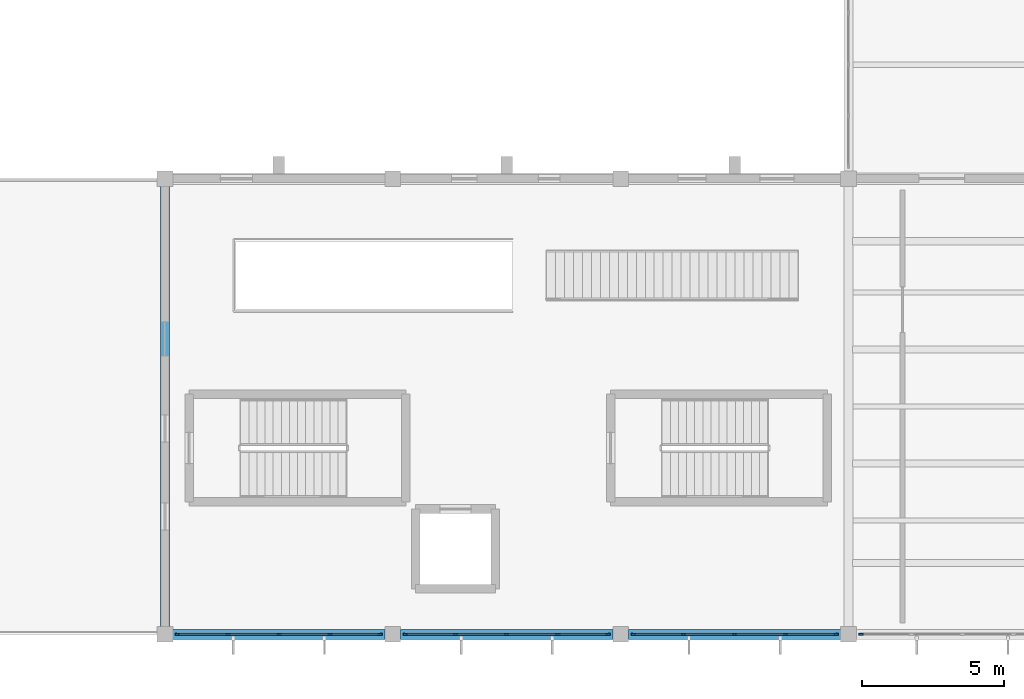
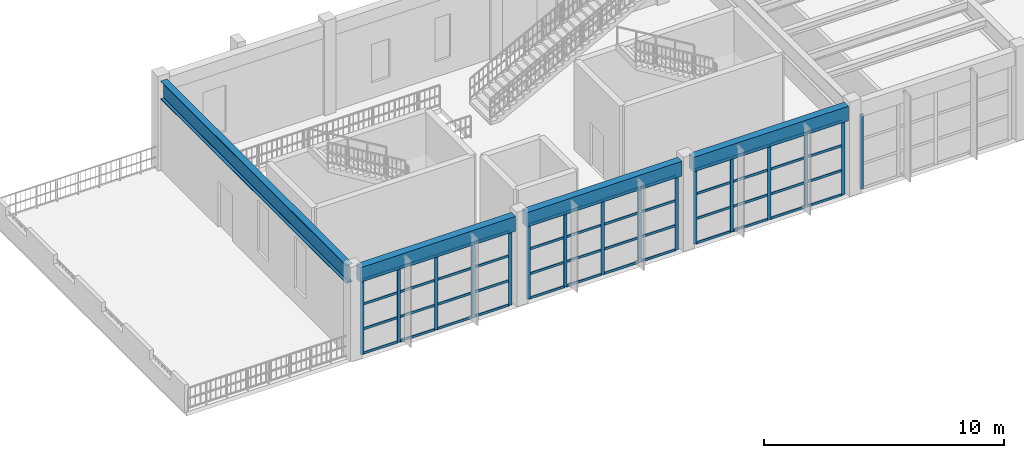
# One storey, part 8 of 59: 64 members, 4 beams, 4 elements without a shape of their own.
"""IFC4 building model written with IfcOpenShell, lengths in metres."""

from ifc_helpers import new_model, si_unit, direction, frame, origin, origin_2d, place, context, subcontext, project, spatial, rectangle, i_section, extrude, material, material_profile, profile_set, type_object, element, aggregate, save


model = new_model("IFC4")

# Units and contexts
model_context = context("Model", 3, precision=1e-05, world=origin(), true_north=direction((0.0, 1.0)))
body_context = subcontext(model_context, "Body", "Model", "MODEL_VIEW")
ifc_project = project(units=[si_unit("LENGTHUNIT", "METRE"), si_unit("AREAUNIT", "SQUARE_METRE"), si_unit("VOLUMEUNIT", "CUBIC_METRE"), si_unit("PLANEANGLEUNIT", "RADIAN"), si_unit("MASSUNIT", "GRAM", prefix="KILO")], contexts=[model_context])

# Site, building, storey
site_placement = place(None, origin())
site = spatial("IfcSite", under=ifc_project, at=site_placement, CompositionType="ELEMENT")
building_placement = place(site_placement, origin())
building = spatial("IfcBuilding", under=site, at=building_placement, Name="Serraluz Foothill Cableway Terminal", CompositionType="ELEMENT")
storey_placement = place(building_placement, frame((0.0, 0.0, 4.800048828125)))
storey = spatial("IfcBuildingStorey", under=building, at=storey_placement, Name="L01", CompositionType="ELEMENT", Elevation=4.800048828125)

# Beam
ifc_material_1 = material(Name="Steel ASTM A992 Grade 50", Category="steel")
ifc_material_profile_1 = material_profile(ifc_material_1, i_section(OverallWidth=0.30810546875, OverallDepth=0.927001953125, WebThickness=0.019287109375, FlangeThickness=0.031982421875, FilletRadius=0.02587890625, at=origin_2d()), Name="W36X194")
ifc_profile_set_1 = profile_set([ifc_material_profile_1], Name="Steel ASTM A992 Grade 50")
beam_type_1 = type_object("IfcBeamType", Name="TYP-BM-W36X194", PredefinedType="BEAM", material=ifc_profile_set_1)
beam_placement = place(storey_placement, frame((96.0, 0.27099609375, 4.076416015625), z_axis=(0.0, 1.0, 0.0), x_axis=(-1.0, 0.0, 0.0)))
element("IfcBeam", 1, at=beam_placement, inside=storey, type_object=beam_type_1, Name="Transverse Girder BM-Y-L01-0264", PredefinedType="BEAM", context=body_context, shape_type="SweptSolid", body=[
    extrude(i_section(OverallWidth=0.30810546875, OverallDepth=0.927001953125, WebThickness=0.019287109375, FlangeThickness=0.031982421875, FilletRadius=0.02587890625, at=origin_2d()), origin(), (0.0, 0.0, 1.0), 15.4580078125),
])

# Curtain wall, members
ifc_material_2 = material(Name="Architectural bronze alloy C28000", Category="aluminium")
curtain_wall_type_1 = type_object("IfcCurtainWallType", Name="TYP-CW-680X420", PredefinedType="NOTDEFINED", material=ifc_material_2)
curtain_wall_1_placement = place(storey_placement, origin())
curtain_wall_1 = element("IfcCurtainWall", 2, at=curtain_wall_1_placement, inside=storey, type_object=curtain_wall_type_1, Name="Ribbed Glazed Curtain Wall CW-V3S-L01-96", PredefinedType="NOTDEFINED")
ifc_material_profile_2 = material_profile(ifc_material_2, rectangle(XDim=0.06005859375, YDim=0.159912109375, at=origin_2d()), Name="ALU MULLION 60x160")
ifc_profile_set_2 = profile_set([ifc_material_profile_2], Name="Architectural bronze alloy C28000")
member_type_1 = type_object("IfcMemberType", Name="TYP-CW-MUL-60X160", PredefinedType="MULLION", material=ifc_profile_set_2)
member_1_placement = place(storey_placement, frame((103.554931640625, 0.0, 0.0), z_axis=(0.0, 0.0, 1.0), x_axis=(0.0, -1.0, 0.0)))
member_1 = element("IfcMember", 3, at=member_1_placement, type_object=member_type_1, Name="CW-13 mullion 1", PredefinedType="MULLION", context=body_context, shape_type="SweptSolid", body=[
    extrude(rectangle(XDim=0.06005859375, YDim=0.159912109375, at=origin_2d()), origin(), (0.0, 0.0, 1.0), 3.7900390625),
])
member_2_placement = place(storey_placement, frame((101.79248046875, 0.0, 0.0), z_axis=(0.0, 0.0, 1.0), x_axis=(0.0, -1.0, 0.0)))
member_2 = element("IfcMember", 4, at=member_2_placement, type_object=member_type_1, Name="CW-13 mullion 2", PredefinedType="MULLION", context=body_context, shape_type="SweptSolid", body=[
    extrude(rectangle(XDim=0.06005859375, YDim=0.159912109375, at=origin_2d()), origin(), (0.0, 0.0, 1.0), 3.7900390625),
])
member_3_placement = place(storey_placement, frame((100.0, 0.0, 0.0), z_axis=(0.0, 0.0, 1.0), x_axis=(0.0, -1.0, 0.0)))
member_3 = element("IfcMember", 5, at=member_3_placement, type_object=member_type_1, Name="CW-13 mullion 3", PredefinedType="MULLION", context=body_context, shape_type="SweptSolid", body=[
    extrude(rectangle(XDim=0.06005859375, YDim=0.159912109375, at=origin_2d()), origin(), (0.0, 0.0, 1.0), 3.7900390625),
])
member_4_placement = place(storey_placement, frame((98.20751953125, 0.0, 0.0), z_axis=(0.0, 0.0, 1.0), x_axis=(0.0, -1.0, 0.0)))
member_4 = element("IfcMember", 6, at=member_4_placement, type_object=member_type_1, Name="CW-13 mullion 4", PredefinedType="MULLION", context=body_context, shape_type="SweptSolid", body=[
    extrude(rectangle(XDim=0.06005859375, YDim=0.159912109375, at=origin_2d()), origin(), (0.0, 0.0, 1.0), 3.7900390625),
])
member_5_placement = place(storey_placement, frame((96.445068359375, 0.0, 0.0), z_axis=(0.0, 0.0, 1.0), x_axis=(0.0, -1.0, 0.0)))
member_5 = element("IfcMember", 7, at=member_5_placement, type_object=member_type_1, Name="CW-13 mullion 5", PredefinedType="MULLION", context=body_context, shape_type="SweptSolid", body=[
    extrude(rectangle(XDim=0.06005859375, YDim=0.159912109375, at=origin_2d()), origin(), (0.0, 0.0, 1.0), 3.7900390625),
])

curtain_wall_type_2 = type_object("IfcCurtainWallType", Name="TYP-CW-480X380", PredefinedType="NOTDEFINED", material=ifc_material_2)
curtain_wall_2_placement = place(storey_placement, origin())
curtain_wall_2 = element("IfcCurtainWall", 8, at=curtain_wall_2_placement, inside=storey, type_object=curtain_wall_type_2, Name="Ribbed Glazed Curtain Wall CW-V3S-L01-104", PredefinedType="NOTDEFINED")
member_6_placement = place(storey_placement, frame((111.554931640625, 0.0, 0.0), z_axis=(0.0, 0.0, 1.0), x_axis=(0.0, -1.0, 0.0)))
member_6 = element("IfcMember", 9, at=member_6_placement, type_object=member_type_1, Name="CW-14 mullion 1", PredefinedType="MULLION", context=body_context, shape_type="SweptSolid", body=[
    extrude(rectangle(XDim=0.06005859375, YDim=0.159912109375, at=origin_2d()), origin(), (0.0, 0.0, 1.0), 3.7900390625),
])
member_7_placement = place(storey_placement, frame((109.79248046875, 0.0, 0.0), z_axis=(0.0, 0.0, 1.0), x_axis=(0.0, -1.0, 0.0)))
member_7 = element("IfcMember", 10, at=member_7_placement, type_object=member_type_1, Name="CW-14 mullion 2", PredefinedType="MULLION", context=body_context, shape_type="SweptSolid", body=[
    extrude(rectangle(XDim=0.06005859375, YDim=0.159912109375, at=origin_2d()), origin(), (0.0, 0.0, 1.0), 3.7900390625),
])
member_8_placement = place(storey_placement, frame((108.0, 0.0, 0.0), z_axis=(0.0, 0.0, 1.0), x_axis=(0.0, -1.0, 0.0)))
member_8 = element("IfcMember", 11, at=member_8_placement, type_object=member_type_1, Name="CW-14 mullion 3", PredefinedType="MULLION", context=body_context, shape_type="SweptSolid", body=[
    extrude(rectangle(XDim=0.06005859375, YDim=0.159912109375, at=origin_2d()), origin(), (0.0, 0.0, 1.0), 3.7900390625),
])
member_9_placement = place(storey_placement, frame((106.20751953125, 0.0, 0.0), z_axis=(0.0, 0.0, 1.0), x_axis=(0.0, -1.0, 0.0)))
member_9 = element("IfcMember", 12, at=member_9_placement, type_object=member_type_1, Name="CW-14 mullion 4", PredefinedType="MULLION", context=body_context, shape_type="SweptSolid", body=[
    extrude(rectangle(XDim=0.06005859375, YDim=0.159912109375, at=origin_2d()), origin(), (0.0, 0.0, 1.0), 3.7900390625),
])
member_10_placement = place(storey_placement, frame((104.445068359375, 0.0, 0.0), z_axis=(0.0, 0.0, 1.0), x_axis=(0.0, -1.0, 0.0)))
member_10 = element("IfcMember", 13, at=member_10_placement, type_object=member_type_1, Name="CW-14 mullion 5", PredefinedType="MULLION", context=body_context, shape_type="SweptSolid", body=[
    extrude(rectangle(XDim=0.06005859375, YDim=0.159912109375, at=origin_2d()), origin(), (0.0, 0.0, 1.0), 3.7900390625),
])

curtain_wall_type_3 = type_object("IfcCurtainWallType", Name="TYP-CW-480X420", PredefinedType="NOTDEFINED", material=ifc_material_2)
curtain_wall_3_placement = place(storey_placement, origin())
curtain_wall_3 = element("IfcCurtainWall", 14, at=curtain_wall_3_placement, inside=storey, type_object=curtain_wall_type_3, Name="Ribbed Glazed Curtain Wall CW-V3S-L01-112", PredefinedType="NOTDEFINED")
member_11_placement = place(storey_placement, frame((119.554931640625, 0.0, 0.0), z_axis=(0.0, 0.0, 1.0), x_axis=(0.0, -1.0, 0.0)))
member_11 = element("IfcMember", 15, at=member_11_placement, type_object=member_type_1, Name="CW-15 mullion 1", PredefinedType="MULLION", context=body_context, shape_type="SweptSolid", body=[
    extrude(rectangle(XDim=0.06005859375, YDim=0.159912109375, at=origin_2d()), origin(), (0.0, 0.0, 1.0), 3.7900390625),
])
member_12_placement = place(storey_placement, frame((117.79248046875, 0.0, 0.0), z_axis=(0.0, 0.0, 1.0), x_axis=(0.0, -1.0, 0.0)))
member_12 = element("IfcMember", 16, at=member_12_placement, type_object=member_type_1, Name="CW-15 mullion 2", PredefinedType="MULLION", context=body_context, shape_type="SweptSolid", body=[
    extrude(rectangle(XDim=0.06005859375, YDim=0.159912109375, at=origin_2d()), origin(), (0.0, 0.0, 1.0), 3.7900390625),
])
member_13_placement = place(storey_placement, frame((116.0, 0.0, 0.0), z_axis=(0.0, 0.0, 1.0), x_axis=(0.0, -1.0, 0.0)))
member_13 = element("IfcMember", 17, at=member_13_placement, type_object=member_type_1, Name="CW-15 mullion 3", PredefinedType="MULLION", context=body_context, shape_type="SweptSolid", body=[
    extrude(rectangle(XDim=0.06005859375, YDim=0.159912109375, at=origin_2d()), origin(), (0.0, 0.0, 1.0), 3.7900390625),
])
member_14_placement = place(storey_placement, frame((114.20751953125, 0.0, 0.0), z_axis=(0.0, 0.0, 1.0), x_axis=(0.0, -1.0, 0.0)))
member_14 = element("IfcMember", 18, at=member_14_placement, type_object=member_type_1, Name="CW-15 mullion 4", PredefinedType="MULLION", context=body_context, shape_type="SweptSolid", body=[
    extrude(rectangle(XDim=0.06005859375, YDim=0.159912109375, at=origin_2d()), origin(), (0.0, 0.0, 1.0), 3.7900390625),
])
member_15_placement = place(storey_placement, frame((112.445068359375, 0.0, 0.0), z_axis=(0.0, 0.0, 1.0), x_axis=(0.0, -1.0, 0.0)))
member_15 = element("IfcMember", 19, at=member_15_placement, type_object=member_type_1, Name="CW-15 mullion 5", PredefinedType="MULLION", context=body_context, shape_type="SweptSolid", body=[
    extrude(rectangle(XDim=0.06005859375, YDim=0.159912109375, at=origin_2d()), origin(), (0.0, 0.0, 1.0), 3.7900390625),
])

# Curtain wall, member
curtain_wall_type_4 = type_object("IfcCurtainWallType", Name="TYP-CW-440X360", PredefinedType="NOTDEFINED", material=ifc_material_2)
curtain_wall_4_placement = place(storey_placement, origin())
curtain_wall_4 = element("IfcCurtainWall", 20, at=curtain_wall_4_placement, inside=storey, type_object=curtain_wall_type_4, Name="Ribbed Glazed Curtain Wall CW-V3S-L01-120", PredefinedType="NOTDEFINED")
member_16_placement = place(storey_placement, frame((120.445068359375, 0.0, 0.0), z_axis=(0.0, 0.0, 1.0), x_axis=(0.0, -1.0, 0.0)))
member_16 = element("IfcMember", 21, at=member_16_placement, type_object=member_type_1, Name="CW-16 mullion 5", PredefinedType="MULLION", context=body_context, shape_type="SweptSolid", body=[
    extrude(rectangle(XDim=0.06005859375, YDim=0.159912109375, at=origin_2d()), origin(), (0.0, 0.0, 1.0), 3.7900390625),
])
aggregate(curtain_wall_4, [member_16])

# Member
ifc_material_profile_3 = material_profile(ifc_material_2, rectangle(XDim=0.06005859375, YDim=0.1201171875, at=origin_2d()), Name="ALU TRANSOM 60x120")
ifc_profile_set_3 = profile_set([ifc_material_profile_3], Name="Architectural bronze alloy C28000")
member_type_2 = type_object("IfcMemberType", Name="TYP-CW-TRN-60X120", PredefinedType="USERDEFINED", material=ifc_profile_set_3)
member_17_placement = place(storey_placement, frame((103.52490234375, 0.0, 0.030029296875), z_axis=(-1.0, 0.0, 0.0), x_axis=(0.0, -1.0, 0.0)))
member_17 = element("IfcMember", 22, at=member_17_placement, type_object=member_type_2, Name="CW-13 transom 1.1", ObjectType="TRANSOM", PredefinedType="USERDEFINED", context=body_context, shape_type="SweptSolid", body=[
    extrude(rectangle(XDim=0.06005859375, YDim=0.1201171875, at=origin_2d()), origin(), (0.0, 0.0, 1.0), 1.702392578125),
])

member_18_placement = place(storey_placement, frame((103.52490234375, 0.0, 1.26318359375), z_axis=(-1.0, 0.0, 0.0), x_axis=(0.0, -1.0, 0.0)))
member_18 = element("IfcMember", 23, at=member_18_placement, type_object=member_type_2, Name="CW-13 transom 1.2", ObjectType="TRANSOM", PredefinedType="USERDEFINED", context=body_context, shape_type="SweptSolid", body=[
    extrude(rectangle(XDim=0.06005859375, YDim=0.1201171875, at=origin_2d()), origin(), (0.0, 0.0, 1.0), 1.702392578125),
])

member_19_placement = place(storey_placement, frame((103.52490234375, 0.0, 2.526611328125), z_axis=(-1.0, 0.0, 0.0), x_axis=(0.0, -1.0, 0.0)))
member_19 = element("IfcMember", 24, at=member_19_placement, type_object=member_type_2, Name="CW-13 transom 1.3", ObjectType="TRANSOM", PredefinedType="USERDEFINED", context=body_context, shape_type="SweptSolid", body=[
    extrude(rectangle(XDim=0.06005859375, YDim=0.1201171875, at=origin_2d()), origin(), (0.0, 0.0, 1.0), 1.702392578125),
])

member_20_placement = place(storey_placement, frame((103.52490234375, 0.0, 3.760009765625), z_axis=(-1.0, 0.0, 0.0), x_axis=(0.0, -1.0, 0.0)))
member_20 = element("IfcMember", 25, at=member_20_placement, type_object=member_type_2, Name="CW-13 transom 1.4", ObjectType="TRANSOM", PredefinedType="USERDEFINED", context=body_context, shape_type="SweptSolid", body=[
    extrude(rectangle(XDim=0.06005859375, YDim=0.1201171875, at=origin_2d()), origin(), (0.0, 0.0, 1.0), 1.702392578125),
])

member_21_placement = place(storey_placement, frame((101.762451171875, 0.0, 0.030029296875), z_axis=(-1.0, 0.0, 0.0), x_axis=(0.0, -1.0, 0.0)))
member_21 = element("IfcMember", 26, at=member_21_placement, type_object=member_type_2, Name="CW-13 transom 2.1", ObjectType="TRANSOM", PredefinedType="USERDEFINED", context=body_context, shape_type="SweptSolid", body=[
    extrude(rectangle(XDim=0.06005859375, YDim=0.1201171875, at=origin_2d()), origin(), (0.0, 0.0, 1.0), 1.732421875),
])

member_22_placement = place(storey_placement, frame((101.762451171875, 0.0, 1.26318359375), z_axis=(-1.0, 0.0, 0.0), x_axis=(0.0, -1.0, 0.0)))
member_22 = element("IfcMember", 27, at=member_22_placement, type_object=member_type_2, Name="CW-13 transom 2.2", ObjectType="TRANSOM", PredefinedType="USERDEFINED", context=body_context, shape_type="SweptSolid", body=[
    extrude(rectangle(XDim=0.06005859375, YDim=0.1201171875, at=origin_2d()), origin(), (0.0, 0.0, 1.0), 1.732421875),
])

member_23_placement = place(storey_placement, frame((101.762451171875, 0.0, 2.526611328125), z_axis=(-1.0, 0.0, 0.0), x_axis=(0.0, -1.0, 0.0)))
member_23 = element("IfcMember", 28, at=member_23_placement, type_object=member_type_2, Name="CW-13 transom 2.3", ObjectType="TRANSOM", PredefinedType="USERDEFINED", context=body_context, shape_type="SweptSolid", body=[
    extrude(rectangle(XDim=0.06005859375, YDim=0.1201171875, at=origin_2d()), origin(), (0.0, 0.0, 1.0), 1.732421875),
])

member_24_placement = place(storey_placement, frame((101.762451171875, 0.0, 3.760009765625), z_axis=(-1.0, 0.0, 0.0), x_axis=(0.0, -1.0, 0.0)))
member_24 = element("IfcMember", 29, at=member_24_placement, type_object=member_type_2, Name="CW-13 transom 2.4", ObjectType="TRANSOM", PredefinedType="USERDEFINED", context=body_context, shape_type="SweptSolid", body=[
    extrude(rectangle(XDim=0.06005859375, YDim=0.1201171875, at=origin_2d()), origin(), (0.0, 0.0, 1.0), 1.732421875),
])

member_25_placement = place(storey_placement, frame((99.969970703125, 0.0, 0.030029296875), z_axis=(-1.0, 0.0, 0.0), x_axis=(0.0, -1.0, 0.0)))
member_25 = element("IfcMember", 30, at=member_25_placement, type_object=member_type_2, Name="CW-13 transom 3.1", ObjectType="TRANSOM", PredefinedType="USERDEFINED", context=body_context, shape_type="SweptSolid", body=[
    extrude(rectangle(XDim=0.06005859375, YDim=0.1201171875, at=origin_2d()), origin(), (0.0, 0.0, 1.0), 1.732421875),
])

member_26_placement = place(storey_placement, frame((99.969970703125, 0.0, 1.26318359375), z_axis=(-1.0, 0.0, 0.0), x_axis=(0.0, -1.0, 0.0)))
member_26 = element("IfcMember", 31, at=member_26_placement, type_object=member_type_2, Name="CW-13 transom 3.2", ObjectType="TRANSOM", PredefinedType="USERDEFINED", context=body_context, shape_type="SweptSolid", body=[
    extrude(rectangle(XDim=0.06005859375, YDim=0.1201171875, at=origin_2d()), origin(), (0.0, 0.0, 1.0), 1.732421875),
])

member_27_placement = place(storey_placement, frame((99.969970703125, 0.0, 2.526611328125), z_axis=(-1.0, 0.0, 0.0), x_axis=(0.0, -1.0, 0.0)))
member_27 = element("IfcMember", 32, at=member_27_placement, type_object=member_type_2, Name="CW-13 transom 3.3", ObjectType="TRANSOM", PredefinedType="USERDEFINED", context=body_context, shape_type="SweptSolid", body=[
    extrude(rectangle(XDim=0.06005859375, YDim=0.1201171875, at=origin_2d()), origin(), (0.0, 0.0, 1.0), 1.732421875),
])

member_28_placement = place(storey_placement, frame((99.969970703125, 0.0, 3.760009765625), z_axis=(-1.0, 0.0, 0.0), x_axis=(0.0, -1.0, 0.0)))
member_28 = element("IfcMember", 33, at=member_28_placement, type_object=member_type_2, Name="CW-13 transom 3.4", ObjectType="TRANSOM", PredefinedType="USERDEFINED", context=body_context, shape_type="SweptSolid", body=[
    extrude(rectangle(XDim=0.06005859375, YDim=0.1201171875, at=origin_2d()), origin(), (0.0, 0.0, 1.0), 1.732421875),
])

member_29_placement = place(storey_placement, frame((98.177490234375, 0.0, 0.030029296875), z_axis=(-1.0, 0.0, 0.0), x_axis=(0.0, -1.0, 0.0)))
member_29 = element("IfcMember", 34, at=member_29_placement, type_object=member_type_2, Name="CW-13 transom 4.1", ObjectType="TRANSOM", PredefinedType="USERDEFINED", context=body_context, shape_type="SweptSolid", body=[
    extrude(rectangle(XDim=0.06005859375, YDim=0.1201171875, at=origin_2d()), origin(), (0.0, 0.0, 1.0), 1.702392578125),
])

member_30_placement = place(storey_placement, frame((98.177490234375, 0.0, 1.26318359375), z_axis=(-1.0, 0.0, 0.0), x_axis=(0.0, -1.0, 0.0)))
member_30 = element("IfcMember", 35, at=member_30_placement, type_object=member_type_2, Name="CW-13 transom 4.2", ObjectType="TRANSOM", PredefinedType="USERDEFINED", context=body_context, shape_type="SweptSolid", body=[
    extrude(rectangle(XDim=0.06005859375, YDim=0.1201171875, at=origin_2d()), origin(), (0.0, 0.0, 1.0), 1.702392578125),
])

member_31_placement = place(storey_placement, frame((98.177490234375, 0.0, 2.526611328125), z_axis=(-1.0, 0.0, 0.0), x_axis=(0.0, -1.0, 0.0)))
member_31 = element("IfcMember", 36, at=member_31_placement, type_object=member_type_2, Name="CW-13 transom 4.3", ObjectType="TRANSOM", PredefinedType="USERDEFINED", context=body_context, shape_type="SweptSolid", body=[
    extrude(rectangle(XDim=0.06005859375, YDim=0.1201171875, at=origin_2d()), origin(), (0.0, 0.0, 1.0), 1.702392578125),
])

member_32_placement = place(storey_placement, frame((98.177490234375, 0.0, 3.760009765625), z_axis=(-1.0, 0.0, 0.0), x_axis=(0.0, -1.0, 0.0)))
member_32 = element("IfcMember", 37, at=member_32_placement, type_object=member_type_2, Name="CW-13 transom 4.4", ObjectType="TRANSOM", PredefinedType="USERDEFINED", context=body_context, shape_type="SweptSolid", body=[
    extrude(rectangle(XDim=0.06005859375, YDim=0.1201171875, at=origin_2d()), origin(), (0.0, 0.0, 1.0), 1.702392578125),
])

aggregate(curtain_wall_1, [member_1, member_2, member_3, member_4, member_5, member_17, member_18, member_19, member_20, member_21, member_22, member_23, member_24, member_25, member_26, member_27, member_28, member_29, member_30, member_31, member_32])

member_33_placement = place(storey_placement, frame((111.52490234375, 0.0, 0.030029296875), z_axis=(-1.0, 0.0, 0.0), x_axis=(0.0, -1.0, 0.0)))
member_33 = element("IfcMember", 38, at=member_33_placement, type_object=member_type_2, Name="CW-14 transom 1.1", ObjectType="TRANSOM", PredefinedType="USERDEFINED", context=body_context, shape_type="SweptSolid", body=[
    extrude(rectangle(XDim=0.06005859375, YDim=0.1201171875, at=origin_2d()), origin(), (0.0, 0.0, 1.0), 1.702392578125),
])

member_34_placement = place(storey_placement, frame((111.52490234375, 0.0, 1.26318359375), z_axis=(-1.0, 0.0, 0.0), x_axis=(0.0, -1.0, 0.0)))
member_34 = element("IfcMember", 39, at=member_34_placement, type_object=member_type_2, Name="CW-14 transom 1.2", ObjectType="TRANSOM", PredefinedType="USERDEFINED", context=body_context, shape_type="SweptSolid", body=[
    extrude(rectangle(XDim=0.06005859375, YDim=0.1201171875, at=origin_2d()), origin(), (0.0, 0.0, 1.0), 1.702392578125),
])

member_35_placement = place(storey_placement, frame((111.52490234375, 0.0, 2.526611328125), z_axis=(-1.0, 0.0, 0.0), x_axis=(0.0, -1.0, 0.0)))
member_35 = element("IfcMember", 40, at=member_35_placement, type_object=member_type_2, Name="CW-14 transom 1.3", ObjectType="TRANSOM", PredefinedType="USERDEFINED", context=body_context, shape_type="SweptSolid", body=[
    extrude(rectangle(XDim=0.06005859375, YDim=0.1201171875, at=origin_2d()), origin(), (0.0, 0.0, 1.0), 1.702392578125),
])

member_36_placement = place(storey_placement, frame((111.52490234375, 0.0, 3.760009765625), z_axis=(-1.0, 0.0, 0.0), x_axis=(0.0, -1.0, 0.0)))
member_36 = element("IfcMember", 41, at=member_36_placement, type_object=member_type_2, Name="CW-14 transom 1.4", ObjectType="TRANSOM", PredefinedType="USERDEFINED", context=body_context, shape_type="SweptSolid", body=[
    extrude(rectangle(XDim=0.06005859375, YDim=0.1201171875, at=origin_2d()), origin(), (0.0, 0.0, 1.0), 1.702392578125),
])

member_37_placement = place(storey_placement, frame((109.762451171875, 0.0, 0.030029296875), z_axis=(-1.0, 0.0, 0.0), x_axis=(0.0, -1.0, 0.0)))
member_37 = element("IfcMember", 42, at=member_37_placement, type_object=member_type_2, Name="CW-14 transom 2.1", ObjectType="TRANSOM", PredefinedType="USERDEFINED", context=body_context, shape_type="SweptSolid", body=[
    extrude(rectangle(XDim=0.06005859375, YDim=0.1201171875, at=origin_2d()), origin(), (0.0, 0.0, 1.0), 1.732421875),
])

member_38_placement = place(storey_placement, frame((109.762451171875, 0.0, 1.26318359375), z_axis=(-1.0, 0.0, 0.0), x_axis=(0.0, -1.0, 0.0)))
member_38 = element("IfcMember", 43, at=member_38_placement, type_object=member_type_2, Name="CW-14 transom 2.2", ObjectType="TRANSOM", PredefinedType="USERDEFINED", context=body_context, shape_type="SweptSolid", body=[
    extrude(rectangle(XDim=0.06005859375, YDim=0.1201171875, at=origin_2d()), origin(), (0.0, 0.0, 1.0), 1.732421875),
])

member_39_placement = place(storey_placement, frame((109.762451171875, 0.0, 2.526611328125), z_axis=(-1.0, 0.0, 0.0), x_axis=(0.0, -1.0, 0.0)))
member_39 = element("IfcMember", 44, at=member_39_placement, type_object=member_type_2, Name="CW-14 transom 2.3", ObjectType="TRANSOM", PredefinedType="USERDEFINED", context=body_context, shape_type="SweptSolid", body=[
    extrude(rectangle(XDim=0.06005859375, YDim=0.1201171875, at=origin_2d()), origin(), (0.0, 0.0, 1.0), 1.732421875),
])

member_40_placement = place(storey_placement, frame((109.762451171875, 0.0, 3.760009765625), z_axis=(-1.0, 0.0, 0.0), x_axis=(0.0, -1.0, 0.0)))
member_40 = element("IfcMember", 45, at=member_40_placement, type_object=member_type_2, Name="CW-14 transom 2.4", ObjectType="TRANSOM", PredefinedType="USERDEFINED", context=body_context, shape_type="SweptSolid", body=[
    extrude(rectangle(XDim=0.06005859375, YDim=0.1201171875, at=origin_2d()), origin(), (0.0, 0.0, 1.0), 1.732421875),
])

member_41_placement = place(storey_placement, frame((107.969970703125, 0.0, 0.030029296875), z_axis=(-1.0, 0.0, 0.0), x_axis=(0.0, -1.0, 0.0)))
member_41 = element("IfcMember", 46, at=member_41_placement, type_object=member_type_2, Name="CW-14 transom 3.1", ObjectType="TRANSOM", PredefinedType="USERDEFINED", context=body_context, shape_type="SweptSolid", body=[
    extrude(rectangle(XDim=0.06005859375, YDim=0.1201171875, at=origin_2d()), origin(), (0.0, 0.0, 1.0), 1.732421875),
])

member_42_placement = place(storey_placement, frame((107.969970703125, 0.0, 1.26318359375), z_axis=(-1.0, 0.0, 0.0), x_axis=(0.0, -1.0, 0.0)))
member_42 = element("IfcMember", 47, at=member_42_placement, type_object=member_type_2, Name="CW-14 transom 3.2", ObjectType="TRANSOM", PredefinedType="USERDEFINED", context=body_context, shape_type="SweptSolid", body=[
    extrude(rectangle(XDim=0.06005859375, YDim=0.1201171875, at=origin_2d()), origin(), (0.0, 0.0, 1.0), 1.732421875),
])

member_43_placement = place(storey_placement, frame((107.969970703125, 0.0, 2.526611328125), z_axis=(-1.0, 0.0, 0.0), x_axis=(0.0, -1.0, 0.0)))
member_43 = element("IfcMember", 48, at=member_43_placement, type_object=member_type_2, Name="CW-14 transom 3.3", ObjectType="TRANSOM", PredefinedType="USERDEFINED", context=body_context, shape_type="SweptSolid", body=[
    extrude(rectangle(XDim=0.06005859375, YDim=0.1201171875, at=origin_2d()), origin(), (0.0, 0.0, 1.0), 1.732421875),
])

member_44_placement = place(storey_placement, frame((107.969970703125, 0.0, 3.760009765625), z_axis=(-1.0, 0.0, 0.0), x_axis=(0.0, -1.0, 0.0)))
member_44 = element("IfcMember", 49, at=member_44_placement, type_object=member_type_2, Name="CW-14 transom 3.4", ObjectType="TRANSOM", PredefinedType="USERDEFINED", context=body_context, shape_type="SweptSolid", body=[
    extrude(rectangle(XDim=0.06005859375, YDim=0.1201171875, at=origin_2d()), origin(), (0.0, 0.0, 1.0), 1.732421875),
])

member_45_placement = place(storey_placement, frame((106.177490234375, 0.0, 0.030029296875), z_axis=(-1.0, 0.0, 0.0), x_axis=(0.0, -1.0, 0.0)))
member_45 = element("IfcMember", 50, at=member_45_placement, type_object=member_type_2, Name="CW-14 transom 4.1", ObjectType="TRANSOM", PredefinedType="USERDEFINED", context=body_context, shape_type="SweptSolid", body=[
    extrude(rectangle(XDim=0.06005859375, YDim=0.1201171875, at=origin_2d()), origin(), (0.0, 0.0, 1.0), 1.702392578125),
])

member_46_placement = place(storey_placement, frame((106.177490234375, 0.0, 1.26318359375), z_axis=(-1.0, 0.0, 0.0), x_axis=(0.0, -1.0, 0.0)))
member_46 = element("IfcMember", 51, at=member_46_placement, type_object=member_type_2, Name="CW-14 transom 4.2", ObjectType="TRANSOM", PredefinedType="USERDEFINED", context=body_context, shape_type="SweptSolid", body=[
    extrude(rectangle(XDim=0.06005859375, YDim=0.1201171875, at=origin_2d()), origin(), (0.0, 0.0, 1.0), 1.702392578125),
])

member_47_placement = place(storey_placement, frame((106.177490234375, 0.0, 2.526611328125), z_axis=(-1.0, 0.0, 0.0), x_axis=(0.0, -1.0, 0.0)))
member_47 = element("IfcMember", 52, at=member_47_placement, type_object=member_type_2, Name="CW-14 transom 4.3", ObjectType="TRANSOM", PredefinedType="USERDEFINED", context=body_context, shape_type="SweptSolid", body=[
    extrude(rectangle(XDim=0.06005859375, YDim=0.1201171875, at=origin_2d()), origin(), (0.0, 0.0, 1.0), 1.702392578125),
])

member_48_placement = place(storey_placement, frame((106.177490234375, 0.0, 3.760009765625), z_axis=(-1.0, 0.0, 0.0), x_axis=(0.0, -1.0, 0.0)))
member_48 = element("IfcMember", 53, at=member_48_placement, type_object=member_type_2, Name="CW-14 transom 4.4", ObjectType="TRANSOM", PredefinedType="USERDEFINED", context=body_context, shape_type="SweptSolid", body=[
    extrude(rectangle(XDim=0.06005859375, YDim=0.1201171875, at=origin_2d()), origin(), (0.0, 0.0, 1.0), 1.702392578125),
])

aggregate(curtain_wall_2, [member_6, member_7, member_8, member_9, member_10, member_33, member_34, member_35, member_36, member_37, member_38, member_39, member_40, member_41, member_42, member_43, member_44, member_45, member_46, member_47, member_48])

member_49_placement = place(storey_placement, frame((119.52490234375, 0.0, 0.030029296875), z_axis=(-1.0, 0.0, 0.0), x_axis=(0.0, -1.0, 0.0)))
member_49 = element("IfcMember", 54, at=member_49_placement, type_object=member_type_2, Name="CW-15 transom 1.1", ObjectType="TRANSOM", PredefinedType="USERDEFINED", context=body_context, shape_type="SweptSolid", body=[
    extrude(rectangle(XDim=0.06005859375, YDim=0.1201171875, at=origin_2d()), origin(), (0.0, 0.0, 1.0), 1.702392578125),
])

member_50_placement = place(storey_placement, frame((119.52490234375, 0.0, 1.26318359375), z_axis=(-1.0, 0.0, 0.0), x_axis=(0.0, -1.0, 0.0)))
member_50 = element("IfcMember", 55, at=member_50_placement, type_object=member_type_2, Name="CW-15 transom 1.2", ObjectType="TRANSOM", PredefinedType="USERDEFINED", context=body_context, shape_type="SweptSolid", body=[
    extrude(rectangle(XDim=0.06005859375, YDim=0.1201171875, at=origin_2d()), origin(), (0.0, 0.0, 1.0), 1.702392578125),
])

member_51_placement = place(storey_placement, frame((119.52490234375, 0.0, 2.526611328125), z_axis=(-1.0, 0.0, 0.0), x_axis=(0.0, -1.0, 0.0)))
member_51 = element("IfcMember", 56, at=member_51_placement, type_object=member_type_2, Name="CW-15 transom 1.3", ObjectType="TRANSOM", PredefinedType="USERDEFINED", context=body_context, shape_type="SweptSolid", body=[
    extrude(rectangle(XDim=0.06005859375, YDim=0.1201171875, at=origin_2d()), origin(), (0.0, 0.0, 1.0), 1.702392578125),
])

member_52_placement = place(storey_placement, frame((119.52490234375, 0.0, 3.760009765625), z_axis=(-1.0, 0.0, 0.0), x_axis=(0.0, -1.0, 0.0)))
member_52 = element("IfcMember", 57, at=member_52_placement, type_object=member_type_2, Name="CW-15 transom 1.4", ObjectType="TRANSOM", PredefinedType="USERDEFINED", context=body_context, shape_type="SweptSolid", body=[
    extrude(rectangle(XDim=0.06005859375, YDim=0.1201171875, at=origin_2d()), origin(), (0.0, 0.0, 1.0), 1.702392578125),
])

member_53_placement = place(storey_placement, frame((117.762451171875, 0.0, 0.030029296875), z_axis=(-1.0, 0.0, 0.0), x_axis=(0.0, -1.0, 0.0)))
member_53 = element("IfcMember", 58, at=member_53_placement, type_object=member_type_2, Name="CW-15 transom 2.1", ObjectType="TRANSOM", PredefinedType="USERDEFINED", context=body_context, shape_type="SweptSolid", body=[
    extrude(rectangle(XDim=0.06005859375, YDim=0.1201171875, at=origin_2d()), origin(), (0.0, 0.0, 1.0), 1.732421875),
])

member_54_placement = place(storey_placement, frame((117.762451171875, 0.0, 1.26318359375), z_axis=(-1.0, 0.0, 0.0), x_axis=(0.0, -1.0, 0.0)))
member_54 = element("IfcMember", 59, at=member_54_placement, type_object=member_type_2, Name="CW-15 transom 2.2", ObjectType="TRANSOM", PredefinedType="USERDEFINED", context=body_context, shape_type="SweptSolid", body=[
    extrude(rectangle(XDim=0.06005859375, YDim=0.1201171875, at=origin_2d()), origin(), (0.0, 0.0, 1.0), 1.732421875),
])

member_55_placement = place(storey_placement, frame((117.762451171875, 0.0, 2.526611328125), z_axis=(-1.0, 0.0, 0.0), x_axis=(0.0, -1.0, 0.0)))
member_55 = element("IfcMember", 60, at=member_55_placement, type_object=member_type_2, Name="CW-15 transom 2.3", ObjectType="TRANSOM", PredefinedType="USERDEFINED", context=body_context, shape_type="SweptSolid", body=[
    extrude(rectangle(XDim=0.06005859375, YDim=0.1201171875, at=origin_2d()), origin(), (0.0, 0.0, 1.0), 1.732421875),
])

member_56_placement = place(storey_placement, frame((117.762451171875, 0.0, 3.760009765625), z_axis=(-1.0, 0.0, 0.0), x_axis=(0.0, -1.0, 0.0)))
member_56 = element("IfcMember", 61, at=member_56_placement, type_object=member_type_2, Name="CW-15 transom 2.4", ObjectType="TRANSOM", PredefinedType="USERDEFINED", context=body_context, shape_type="SweptSolid", body=[
    extrude(rectangle(XDim=0.06005859375, YDim=0.1201171875, at=origin_2d()), origin(), (0.0, 0.0, 1.0), 1.732421875),
])

member_57_placement = place(storey_placement, frame((115.969970703125, 0.0, 0.030029296875), z_axis=(-1.0, 0.0, 0.0), x_axis=(0.0, -1.0, 0.0)))
member_57 = element("IfcMember", 62, at=member_57_placement, type_object=member_type_2, Name="CW-15 transom 3.1", ObjectType="TRANSOM", PredefinedType="USERDEFINED", context=body_context, shape_type="SweptSolid", body=[
    extrude(rectangle(XDim=0.06005859375, YDim=0.1201171875, at=origin_2d()), origin(), (0.0, 0.0, 1.0), 1.732421875),
])

member_58_placement = place(storey_placement, frame((115.969970703125, 0.0, 1.26318359375), z_axis=(-1.0, 0.0, 0.0), x_axis=(0.0, -1.0, 0.0)))
member_58 = element("IfcMember", 63, at=member_58_placement, type_object=member_type_2, Name="CW-15 transom 3.2", ObjectType="TRANSOM", PredefinedType="USERDEFINED", context=body_context, shape_type="SweptSolid", body=[
    extrude(rectangle(XDim=0.06005859375, YDim=0.1201171875, at=origin_2d()), origin(), (0.0, 0.0, 1.0), 1.732421875),
])

member_59_placement = place(storey_placement, frame((115.969970703125, 0.0, 2.526611328125), z_axis=(-1.0, 0.0, 0.0), x_axis=(0.0, -1.0, 0.0)))
member_59 = element("IfcMember", 64, at=member_59_placement, type_object=member_type_2, Name="CW-15 transom 3.3", ObjectType="TRANSOM", PredefinedType="USERDEFINED", context=body_context, shape_type="SweptSolid", body=[
    extrude(rectangle(XDim=0.06005859375, YDim=0.1201171875, at=origin_2d()), origin(), (0.0, 0.0, 1.0), 1.732421875),
])

member_60_placement = place(storey_placement, frame((115.969970703125, 0.0, 3.760009765625), z_axis=(-1.0, 0.0, 0.0), x_axis=(0.0, -1.0, 0.0)))
member_60 = element("IfcMember", 65, at=member_60_placement, type_object=member_type_2, Name="CW-15 transom 3.4", ObjectType="TRANSOM", PredefinedType="USERDEFINED", context=body_context, shape_type="SweptSolid", body=[
    extrude(rectangle(XDim=0.06005859375, YDim=0.1201171875, at=origin_2d()), origin(), (0.0, 0.0, 1.0), 1.732421875),
])

member_61_placement = place(storey_placement, frame((114.177490234375, 0.0, 0.030029296875), z_axis=(-1.0, 0.0, 0.0), x_axis=(0.0, -1.0, 0.0)))
member_61 = element("IfcMember", 66, at=member_61_placement, type_object=member_type_2, Name="CW-15 transom 4.1", ObjectType="TRANSOM", PredefinedType="USERDEFINED", context=body_context, shape_type="SweptSolid", body=[
    extrude(rectangle(XDim=0.06005859375, YDim=0.1201171875, at=origin_2d()), origin(), (0.0, 0.0, 1.0), 1.702392578125),
])

member_62_placement = place(storey_placement, frame((114.177490234375, 0.0, 1.26318359375), z_axis=(-1.0, 0.0, 0.0), x_axis=(0.0, -1.0, 0.0)))
member_62 = element("IfcMember", 67, at=member_62_placement, type_object=member_type_2, Name="CW-15 transom 4.2", ObjectType="TRANSOM", PredefinedType="USERDEFINED", context=body_context, shape_type="SweptSolid", body=[
    extrude(rectangle(XDim=0.06005859375, YDim=0.1201171875, at=origin_2d()), origin(), (0.0, 0.0, 1.0), 1.702392578125),
])

member_63_placement = place(storey_placement, frame((114.177490234375, 0.0, 2.526611328125), z_axis=(-1.0, 0.0, 0.0), x_axis=(0.0, -1.0, 0.0)))
member_63 = element("IfcMember", 68, at=member_63_placement, type_object=member_type_2, Name="CW-15 transom 4.3", ObjectType="TRANSOM", PredefinedType="USERDEFINED", context=body_context, shape_type="SweptSolid", body=[
    extrude(rectangle(XDim=0.06005859375, YDim=0.1201171875, at=origin_2d()), origin(), (0.0, 0.0, 1.0), 1.702392578125),
])

member_64_placement = place(storey_placement, frame((114.177490234375, 0.0, 3.760009765625), z_axis=(-1.0, 0.0, 0.0), x_axis=(0.0, -1.0, 0.0)))
member_64 = element("IfcMember", 69, at=member_64_placement, type_object=member_type_2, Name="CW-15 transom 4.4", ObjectType="TRANSOM", PredefinedType="USERDEFINED", context=body_context, shape_type="SweptSolid", body=[
    extrude(rectangle(XDim=0.06005859375, YDim=0.1201171875, at=origin_2d()), origin(), (0.0, 0.0, 1.0), 1.702392578125),
])

aggregate(curtain_wall_3, [member_11, member_12, member_13, member_14, member_15, member_49, member_50, member_51, member_52, member_53, member_54, member_55, member_56, member_57, member_58, member_59, member_60, member_61, member_62, member_63, member_64])

# Beams
ifc_material_3 = material(Name="Precast concrete C40/50", Category="concrete")
ifc_material_profile_4 = material_profile(ifc_material_3, rectangle(XDim=0.35009765625, YDim=0.75, at=origin_2d()), Name="RC SP 350x750")
ifc_profile_set_4 = profile_set([ifc_material_profile_4], Name="Precast concrete C40/50")
beam_type_2 = type_object("IfcBeamType", Name="TYP-SP-RC350X750", PredefinedType="SPANDREL", material=ifc_profile_set_4)
for number, where, z_axis, x_axis, name in (
    (70, (96.27099609375, 0.0, 4.1650390625), (1.0, 0.0, 0.0), (0.0, 1.0, 0.0), "Primary Girder BM-X-L01-0180"),
    (71, (104.27099609375, 0.0, 4.1650390625), (1.0, 0.0, 0.0), (0.0, 1.0, 0.0), "Primary Girder BM-X-L01-0181"),
    (72, (112.27099609375, 0.0, 4.1650390625), (1.0, 0.0, 0.0), (0.0, 1.0, 0.0), "Primary Girder BM-X-L01-0182"),
):
    element("IfcBeam", number, at=place(storey_placement, frame(where, z_axis=z_axis, x_axis=x_axis)), inside=storey, type_object=beam_type_2, Name=name, PredefinedType="SPANDREL", context=body_context, shape_type="SweptSolid", body=[
        extrude(rectangle(XDim=0.35009765625, YDim=0.75, at=origin_2d()), origin(), (0.0, 0.0, 1.0), 7.4580078125),
    ])

save(model, "model.ifc")
